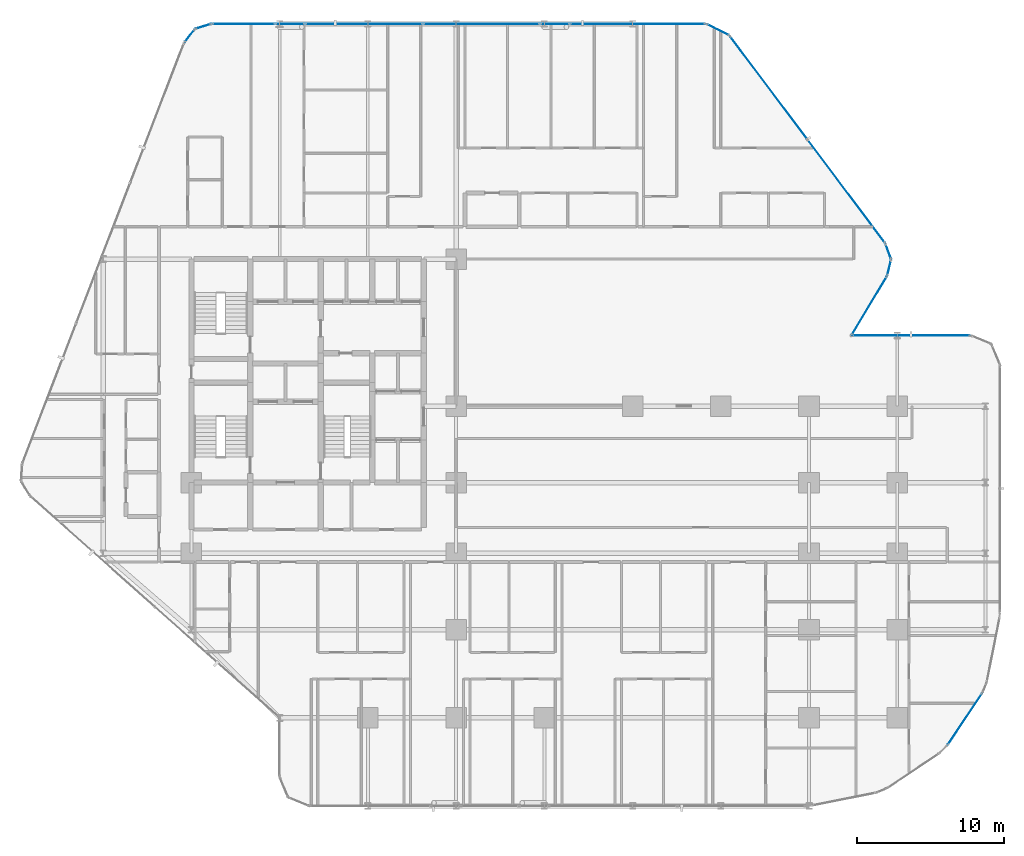
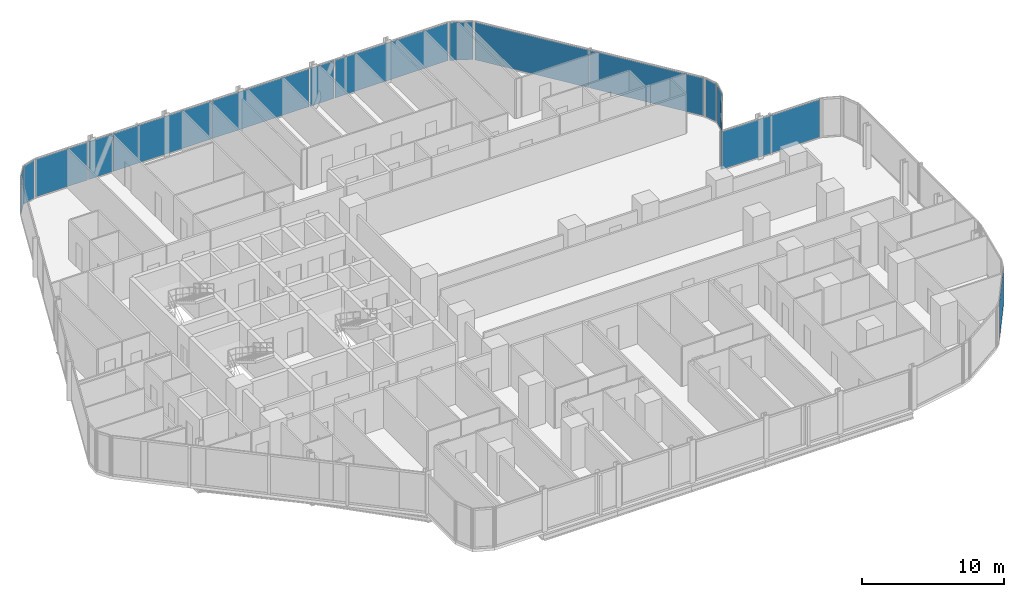
# One storey, part 24 of 35: 16 plates, 14 elements without a shape of their own.
"""IFC4 building model written with IfcOpenShell, lengths in metres."""

from ifc_helpers import new_model, si_unit, direction, frame, origin, origin_2d, place, context, subcontext, project, spatial, rectangle, extrude, material, layer, layer_set, type_object, element, aggregate, save


model = new_model("IFC4")

# Units and contexts
model_context = context("Model", 3, precision=1e-05, world=origin(), true_north=direction((0.0, 1.0)))
body_context = subcontext(model_context, "Body", "Model", "MODEL_VIEW")
ifc_project = project(units=[si_unit("LENGTHUNIT", "METRE"), si_unit("AREAUNIT", "SQUARE_METRE"), si_unit("VOLUMEUNIT", "CUBIC_METRE"), si_unit("PLANEANGLEUNIT", "RADIAN"), si_unit("MASSUNIT", "GRAM", prefix="KILO")], contexts=[model_context])

# Site, building, storey
site_placement = place(None, origin())
site = spatial("IfcSite", under=ifc_project, at=site_placement, CompositionType="ELEMENT")
building_placement = place(site_placement, origin())
building = spatial("IfcBuilding", under=site, at=building_placement, Name="Keshet Zoharim Tower", CompositionType="ELEMENT")
storey_placement = place(building_placement, frame((0.0, 0.0, 24.0)))
storey = spatial("IfcBuildingStorey", under=building, at=storey_placement, Name="L04", CompositionType="ELEMENT", Elevation=24.0)

# Curtain wall, plate
ifc_material_1 = material(Name="Aluminium 6063-T6", Category="aluminium")
ifc_layer_1 = layer(ifc_material_1, 0.179931640625)
ifc_layer_set_1 = layer_set([ifc_layer_1], Name="Aluminium 6063-T6")
curtain_wall_type_1 = type_object("IfcCurtainWallType", Name="CW-SYS-01", PredefinedType="NOTDEFINED", material=ifc_layer_set_1)
curtain_wall_1_placement = place(storey_placement, origin())
curtain_wall_1 = element("IfcCurtainWall", 1, at=curtain_wall_1_placement, inside=storey, type_object=curtain_wall_type_1, Name="L04 Unitised Curtain Wall 05", PredefinedType="NOTDEFINED")
ifc_material_2 = material(Name="Insulated Low-E Clear Glass", Category="glass")
ifc_layer_2 = layer(ifc_material_2, 0.035888671875)
ifc_layer_set_2 = layer_set([ifc_layer_2], Name="Insulated Low-E Clear Glass")
plate_type_1 = type_object("IfcPlateType", Name="CWP-01", PredefinedType="CURTAIN_PANEL", material=ifc_layer_set_2)
plate_1_placement = place(storey_placement, frame((14.8740234375, 53.08349609375, 0.06982421875), z_axis=(0.0, 0.0, 1.0), x_axis=(0.619124525989, 0.785292825205, 0.0)))
plate_1 = element("IfcPlate", 2, at=plate_1_placement, type_object=plate_type_1, Name="CW-01 panel 1.1", PredefinedType="CURTAIN_PANEL", context=body_context, shape_type="SweptSolid", body=[
    extrude(rectangle(XDim=1.045654296875, YDim=0.035888671875, at=origin_2d()), origin(), (0.0, 0.0, 1.0), 3.2451171875),
])
aggregate(curtain_wall_1, [plate_1])

curtain_wall_2_placement = place(storey_placement, origin())
curtain_wall_2 = element("IfcCurtainWall", 3, at=curtain_wall_2_placement, inside=storey, type_object=curtain_wall_type_1, Name="L04 Unitised Curtain Wall 06", PredefinedType="NOTDEFINED")
plate_2_placement = place(storey_placement, frame((15.8076171875, 53.724609375, 0.06982421875), z_axis=(0.0, 0.0, 1.0), x_axis=(0.955212151288, 0.295921857984, 0.0)))
plate_2 = element("IfcPlate", 4, at=plate_2_placement, type_object=plate_type_1, Name="CW-01 panel 1.1", PredefinedType="CURTAIN_PANEL", context=body_context, shape_type="SweptSolid", body=[
    extrude(rectangle(XDim=1.046142578125, YDim=0.035888671875, at=origin_2d()), origin(), (0.0, 0.0, 1.0), 3.2451171875),
])
aggregate(curtain_wall_2, [plate_2])

curtain_wall_3_placement = place(storey_placement, origin())
curtain_wall_3 = element("IfcCurtainWall", 5, at=curtain_wall_3_placement, inside=storey, type_object=curtain_wall_type_1, Name="L04 Unitised Curtain Wall 12", PredefinedType="NOTDEFINED")
plate_3_placement = place(storey_placement, frame((61.093994140625, 34.723388671875, 0.06982421875), z_axis=(0.0, 0.0, 1.0), x_axis=(-0.51446459506, -0.857511621163, 0.0)))
plate_3 = element("IfcPlate", 6, at=plate_3_placement, type_object=plate_type_1, Name="CW-01 panel 1.1", PredefinedType="CURTAIN_PANEL", context=body_context, shape_type="SweptSolid", body=[
    extrude(rectangle(XDim=4.57958984375, YDim=0.035888671875, at=origin_2d()), origin(), (0.0, 0.0, 1.0), 3.2451171875),
])
aggregate(curtain_wall_3, [plate_3])

curtain_wall_4_placement = place(storey_placement, origin())
curtain_wall_4 = element("IfcCurtainWall", 7, at=curtain_wall_4_placement, inside=storey, type_object=curtain_wall_type_1, Name="L04 Unitised Curtain Wall 20", PredefinedType="NOTDEFINED")
plate_4_placement = place(storey_placement, frame((67.60107421875, 6.615966796875, 0.06982421875), z_axis=(0.0, 0.0, 1.0), x_axis=(-0.555563243758, -0.831474282335, 0.0)))
plate_4 = element("IfcPlate", 8, at=plate_4_placement, type_object=plate_type_1, Name="CW-01 panel 1.1", PredefinedType="CURTAIN_PANEL", context=body_context, shape_type="SweptSolid", body=[
    extrude(rectangle(XDim=4.13671875, YDim=0.035888671875, at=origin_2d()), origin(), (0.0, 0.0, 1.0), 3.2451171875),
])
aggregate(curtain_wall_4, [plate_4])

ifc_layer_3 = layer(ifc_material_1, 0.169921875)
ifc_layer_set_3 = layer_set([ifc_layer_3], Name="Aluminium 6063-T6")
curtain_wall_type_2 = type_object("IfcCurtainWallType", Name="CW-SYS-02", PredefinedType="NOTDEFINED", material=ifc_layer_set_3)
curtain_wall_5_placement = place(storey_placement, origin())
curtain_wall_5 = element("IfcCurtainWall", 9, at=curtain_wall_5_placement, inside=storey, type_object=curtain_wall_type_2, Name="L04 Unitised Curtain Wall 07", PredefinedType="NOTDEFINED")
ifc_layer_4 = layer(ifc_material_2, 0.031982421875)
ifc_layer_set_4 = layer_set([ifc_layer_4], Name="Insulated Low-E Clear Glass")
plate_type_2 = type_object("IfcPlateType", Name="CWP-02", PredefinedType="CURTAIN_PANEL", material=ifc_layer_set_4)
plate_5_placement = place(storey_placement, frame((18.5556640625, 53.89990234375, 0.06982421875), z_axis=(0.0, 0.0, 1.0), x_axis=(1.0, 0.0, 0.0)))
plate_5 = element("IfcPlate", 10, at=plate_5_placement, type_object=plate_type_2, Name="CW-02 panel 1.1", PredefinedType="CURTAIN_PANEL", context=body_context, shape_type="SweptSolid", body=[
    extrude(rectangle(XDim=4.223388671875, YDim=0.031982421875, at=origin_2d()), origin(), (0.0, 0.0, 1.0), 3.2451171875),
])
aggregate(curtain_wall_5, [plate_5])

# Curtain wall, plates
curtain_wall_6_placement = place(storey_placement, origin())
curtain_wall_6 = element("IfcCurtainWall", 11, at=curtain_wall_6_placement, inside=storey, type_object=curtain_wall_type_2, Name="L04 Unitised Curtain Wall 07 Part 3", PredefinedType="NOTDEFINED")
plate_6_placement = place(storey_placement, frame((26.73876953125, 53.89990234375, 0.06982421875), z_axis=(0.0, 0.0, 1.0), x_axis=(1.0, 0.0, 0.0)))
plate_6 = element("IfcPlate", 12, at=plate_6_placement, type_object=plate_type_2, Name="CW-02 panel 1.1", PredefinedType="CURTAIN_PANEL", context=body_context, shape_type="SweptSolid", body=[
    extrude(rectangle(XDim=7.952392578125, YDim=0.031982421875, at=origin_2d()), origin(), (0.0, 0.0, 1.0), 3.2451171875),
])
plate_7_placement = place(storey_placement, frame((34.726318359375, 53.89990234375, 0.06982421875), z_axis=(0.0, 0.0, 1.0), x_axis=(1.0, 0.0, 0.0)))
plate_7 = element("IfcPlate", 13, at=plate_7_placement, type_object=plate_type_2, Name="CW-02 panel 2.1", PredefinedType="CURTAIN_PANEL", context=body_context, shape_type="SweptSolid", body=[
    extrude(rectangle(XDim=7.88232421875, YDim=0.031982421875, at=origin_2d()), origin(), (0.0, 0.0, 1.0), 3.2451171875),
])
aggregate(curtain_wall_6, [plate_6, plate_7])

# Curtain wall, plate
curtain_wall_7_placement = place(storey_placement, origin())
curtain_wall_7 = element("IfcCurtainWall", 14, at=curtain_wall_7_placement, inside=storey, type_object=curtain_wall_type_2, Name="L04 Unitised Curtain Wall 07 Part 5", PredefinedType="NOTDEFINED")
plate_8_placement = place(storey_placement, frame((45.34619140625, 53.89990234375, 0.06982421875), z_axis=(0.0, 0.0, 1.0), x_axis=(1.0, 0.0, 0.0)))
plate_8 = element("IfcPlate", 15, at=plate_8_placement, type_object=plate_type_2, Name="CW-02 panel 1.1", PredefinedType="CURTAIN_PANEL", context=body_context, shape_type="SweptSolid", body=[
    extrude(rectangle(XDim=9.16748046875, YDim=0.031982421875, at=origin_2d()), origin(), (0.0, 0.0, 1.0), 3.2451171875),
])
aggregate(curtain_wall_7, [plate_8])

curtain_wall_8_placement = place(storey_placement, origin())
curtain_wall_8 = element("IfcCurtainWall", 16, at=curtain_wall_8_placement, inside=storey, type_object=curtain_wall_type_2, Name="L04 Unitised Curtain Wall 08", PredefinedType="NOTDEFINED")
plate_9_placement = place(storey_placement, frame((50.800048828125, 53.5, 0.06982421875), z_axis=(0.0, 0.0, 1.0), x_axis=(0.894427191001, -0.447213595499, 0.0)))
plate_9 = element("IfcPlate", 17, at=plate_9_placement, type_object=plate_type_2, Name="CW-02 panel 1.1", PredefinedType="CURTAIN_PANEL", context=body_context, shape_type="SweptSolid", body=[
    extrude(rectangle(XDim=1.64892578125, YDim=0.031982421875, at=origin_2d()), origin(), (0.0, 0.0, 1.0), 3.2451171875),
])
aggregate(curtain_wall_8, [plate_9])

# Curtain wall, plates
curtain_wall_9_placement = place(storey_placement, origin())
curtain_wall_9 = element("IfcCurtainWall", 18, at=curtain_wall_9_placement, inside=storey, type_object=curtain_wall_type_2, Name="L04 Unitised Curtain Wall 09", PredefinedType="NOTDEFINED")
plate_10_placement = place(storey_placement, frame((54.2587890625, 49.554931640625, 0.06982421875), z_axis=(0.0, 0.0, 1.0), x_axis=(0.600000000002, -0.799999999998, 0.0)))
plate_10 = element("IfcPlate", 19, at=plate_10_placement, type_object=plate_type_2, Name="CW-02 panel 1.1", PredefinedType="CURTAIN_PANEL", context=body_context, shape_type="SweptSolid", body=[
    extrude(rectangle(XDim=8.722412109375, YDim=0.031982421875, at=origin_2d()), origin(), (0.0, 0.0, 1.0), 3.2451171875),
])
plate_11_placement = place(storey_placement, frame((59.5341796875, 42.52099609375, 0.06982421875), z_axis=(0.0, 0.0, 1.0), x_axis=(0.600000000002, -0.799999999998, 0.0)))
plate_11 = element("IfcPlate", 20, at=plate_11_placement, type_object=plate_type_2, Name="CW-02 panel 2.1", PredefinedType="CURTAIN_PANEL", context=body_context, shape_type="SweptSolid", body=[
    extrude(rectangle(XDim=8.722412109375, YDim=0.031982421875, at=origin_2d()), origin(), (0.0, 0.0, 1.0), 3.2451171875),
])
aggregate(curtain_wall_9, [plate_10, plate_11])

# Curtain wall, plate
curtain_wall_10_placement = place(storey_placement, origin())
curtain_wall_10 = element("IfcCurtainWall", 21, at=curtain_wall_10_placement, inside=storey, type_object=curtain_wall_type_2, Name="L04 Unitised Curtain Wall 10", PredefinedType="NOTDEFINED")
plate_12_placement = place(storey_placement, frame((62.3916015625, 38.427490234375, 0.06982421875), z_axis=(0.0, 0.0, 1.0), x_axis=(0.340297354046, -0.940317877544, 0.0)))
plate_12 = element("IfcPlate", 22, at=plate_12_placement, type_object=plate_type_2, Name="CW-02 panel 1.1", PredefinedType="CURTAIN_PANEL", context=body_context, shape_type="SweptSolid", body=[
    extrude(rectangle(XDim=1.026611328125, YDim=0.031982421875, at=origin_2d()), origin(), (0.0, 0.0, 1.0), 3.2451171875),
])
aggregate(curtain_wall_10, [plate_12])

curtain_wall_11_placement = place(storey_placement, origin())
curtain_wall_11 = element("IfcCurtainWall", 23, at=curtain_wall_11_placement, inside=storey, type_object=curtain_wall_type_2, Name="L04 Unitised Curtain Wall 11", PredefinedType="NOTDEFINED")
plate_13_placement = place(storey_placement, frame((62.448974609375, 37.31298828125, 0.06982421875), z_axis=(0.0, 0.0, 1.0), x_axis=(-0.241728770141, -0.970343857447, 0.0)))
plate_13 = element("IfcPlate", 24, at=plate_13_placement, type_object=plate_type_2, Name="CW-02 panel 1.1", PredefinedType="CURTAIN_PANEL", context=body_context, shape_type="SweptSolid", body=[
    extrude(rectangle(XDim=1.026611328125, YDim=0.031982421875, at=origin_2d()), origin(), (0.0, 0.0, 1.0), 3.2451171875),
])
aggregate(curtain_wall_11, [plate_13])

curtain_wall_12_placement = place(storey_placement, origin())
curtain_wall_12 = element("IfcCurtainWall", 25, at=curtain_wall_12_placement, inside=storey, type_object=curtain_wall_type_2, Name="L04 Unitised Curtain Wall 13", PredefinedType="NOTDEFINED")
plate_14_placement = place(storey_placement, frame((63.93994140625, 32.699951171875, 0.06982421875), z_axis=(0.0, 0.0, 1.0), x_axis=(1.0, 0.0, 0.0)))
plate_14 = element("IfcPlate", 26, at=plate_14_placement, type_object=plate_type_2, Name="CW-02 panel 1.1", PredefinedType="CURTAIN_PANEL", context=body_context, shape_type="SweptSolid", body=[
    extrude(rectangle(XDim=7.97998046875, YDim=0.031982421875, at=origin_2d()), origin(), (0.0, 0.0, 1.0), 3.2451171875),
])
aggregate(curtain_wall_12, [plate_14])

curtain_wall_13_placement = place(storey_placement, origin())
curtain_wall_13 = element("IfcCurtainWall", 27, at=curtain_wall_13_placement, inside=storey, type_object=curtain_wall_type_2, Name="L04 Unitised Curtain Wall 07 Part 2", PredefinedType="NOTDEFINED")
ifc_material_3 = material(Name="Insulated Aluminium Spandrel Panel", Category="aluminium")
ifc_layer_5 = layer(ifc_material_3, 0.031982421875)
ifc_layer_set_5 = layer_set([ifc_layer_5], Name="Insulated Aluminium Spandrel Panel")
plate_type_3 = type_object("IfcPlateType", Name="CWP-05", PredefinedType="CURTAIN_PANEL", material=ifc_layer_set_5)
plate_15_placement = place(storey_placement, frame((21.715087890625, 53.89990234375, 0.06982421875), z_axis=(0.0, 0.0, 1.0), x_axis=(1.0, 0.0, 0.0)))
plate_15 = element("IfcPlate", 28, at=plate_15_placement, type_object=plate_type_3, Name="CW-02 spandrel panel 1.1", PredefinedType="CURTAIN_PANEL", context=body_context, shape_type="SweptSolid", body=[
    extrude(rectangle(XDim=1.955078125, YDim=0.031982421875, at=origin_2d()), origin(), (0.0, 0.0, 1.0), 3.2451171875),
])
aggregate(curtain_wall_13, [plate_15])

curtain_wall_14_placement = place(storey_placement, origin())
curtain_wall_14 = element("IfcCurtainWall", 29, at=curtain_wall_14_placement, inside=storey, type_object=curtain_wall_type_2, Name="L04 Unitised Curtain Wall 07 Part 4", PredefinedType="NOTDEFINED")
plate_16_placement = place(storey_placement, frame((39.715087890625, 53.89990234375, 0.06982421875), z_axis=(0.0, 0.0, 1.0), x_axis=(1.0, 0.0, 0.0)))
plate_16 = element("IfcPlate", 30, at=plate_16_placement, type_object=plate_type_3, Name="CW-02 spandrel panel 1.1", PredefinedType="CURTAIN_PANEL", context=body_context, shape_type="SweptSolid", body=[
    extrude(rectangle(XDim=1.955078125, YDim=0.031982421875, at=origin_2d()), origin(), (0.0, 0.0, 1.0), 3.2451171875),
])
aggregate(curtain_wall_14, [plate_16])

save(model, "model.ifc")
